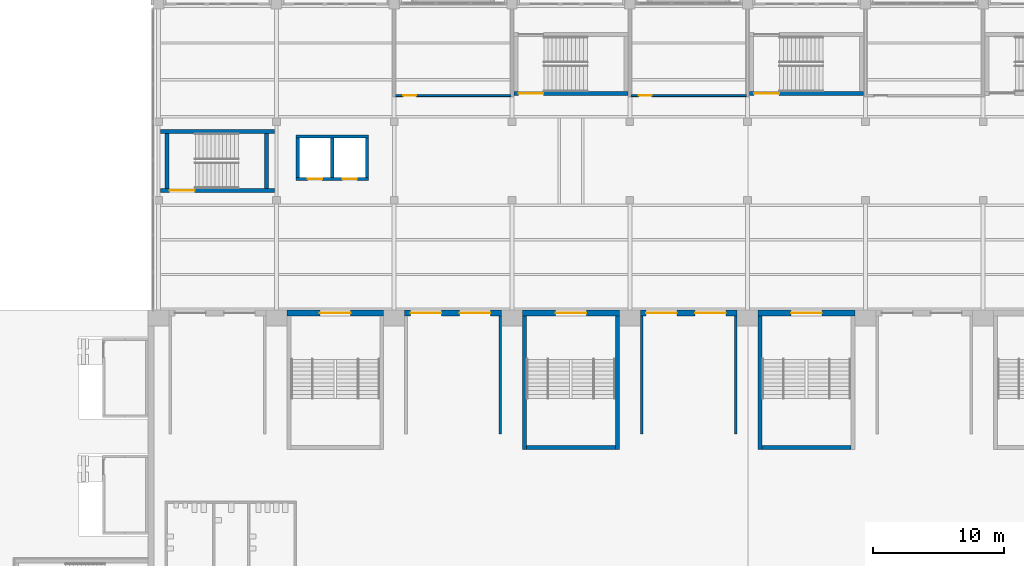
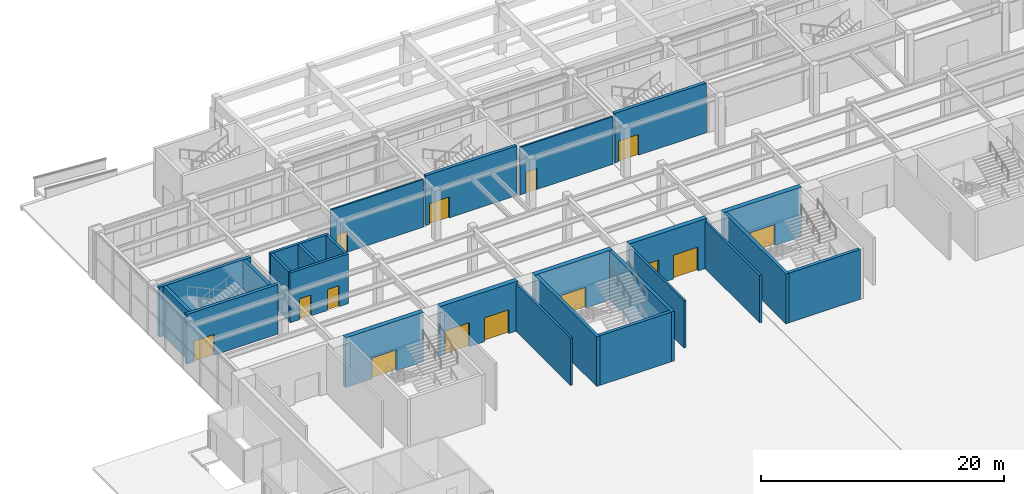
# One storey, part 40 of 77: 26 walls, 14 doors, 14 openings.
"""IFC4 building model written with IfcOpenShell, lengths in metres."""

from ifc_helpers import new_model, si_unit, direction, frame, frame_2d, origin, place, context, subcontext, project, spatial, rectangle, extrude, material, layer, layer_set, type_object, element, fill, save


model = new_model("IFC4")

# Units and contexts
model_context = context("Model", 3, precision=1e-05, world=origin(), true_north=direction((0.0, 1.0)))
body_context = subcontext(model_context, "Body", "Model", "MODEL_VIEW")
ifc_project = project(units=[si_unit("LENGTHUNIT", "METRE"), si_unit("AREAUNIT", "SQUARE_METRE"), si_unit("VOLUMEUNIT", "CUBIC_METRE"), si_unit("PLANEANGLEUNIT", "RADIAN"), si_unit("MASSUNIT", "GRAM", prefix="KILO")], contexts=[model_context])

# Site, building, storey
site_placement = place(None, origin())
site = spatial("IfcSite", under=ifc_project, at=site_placement, CompositionType="ELEMENT")
building_placement = place(site_placement, origin())
building = spatial("IfcBuilding", under=site, at=building_placement, Name="Aravalli Gate Trade Fair Centre", CompositionType="ELEMENT")
storey_placement = place(building_placement, origin())
storey = spatial("IfcBuildingStorey", under=building, at=storey_placement, Name="L00", CompositionType="ELEMENT", Elevation=0.0)

# Wall, opening, door
ifc_material_1 = material(Name="Concrete M40", Category="concrete")
ifc_layer_1 = layer(ifc_material_1, 0.25, Name="Structural wall")
ifc_material_2 = material(Name="Ventilated air cavity")
ifc_layer_2 = layer(ifc_material_2, 0.10009765625, ventilated=True, Name="Ventilated cavity")
ifc_material_3 = material(Name="Dholpur sandstone", Category="masonry")
ifc_layer_3 = layer(ifc_material_3, 0.10009765625, Name="Stone facing")
ifc_layer_set_1 = layer_set([ifc_layer_1, ifc_layer_2, ifc_layer_3], Name="Hall external wall 450 stone base")
wall_type_1 = type_object("IfcWallType", Name="Hall external wall 450 stone base", PredefinedType="SOLIDWALL", material=ifc_layer_set_1)
wall_1_placement = place(storey_placement, frame((15.800048828125, 109.375, 0.0), z_axis=(0.0, 0.0, 1.0), x_axis=(1.0, 0.0, 0.0)))
wall_1 = element("IfcWall", 1, at=wall_1_placement, inside=storey, type_object=wall_type_1, Name="Hall north wall bay 2 L00", PredefinedType="SOLIDWALL", context=body_context, shape_type="SweptSolid", body=[
    extrude(rectangle(XDim=7.39990234375, YDim=0.449951171875, at=frame_2d((3.699951171875, 0.0))), origin(), (0.0, 0.0, 1.0), 5.0),
])
opening_1_placement = place(wall_1_placement, frame((2.52490234375, 0.0, 0.0)))
opening_1 = element("IfcOpeningElement", 2, at=opening_1_placement, cuts=wall_1, Name="Opening H-L00-05", PredefinedType="OPENING", context=body_context, shape_type="SweptSolid", body=[
    extrude(rectangle(XDim=2.35009765625, YDim=2.10009765625, at=frame_2d((1.175048828125, 1.050048828125))), frame((0.0, 0.23486328125, 0.0), z_axis=(0.0, -1.0, 0.0), x_axis=(1.0, 0.0, 0.0)), (0.0, 0.0, 1.0), 0.469970703125),
])
ifc_material_4 = material(Name="Steel", Category="steel")
door_type_1 = type_object("IfcDoorType", Name="Stair exit double door FD120", OperationType="DOUBLE_DOOR_SINGLE_SWING", PredefinedType="DOOR", material=ifc_material_4)
door_1_placement = place(opening_1_placement, origin())
door_1 = element("IfcDoor", 3, at=door_1_placement, inside=storey, type_object=door_type_1, Name="Exit door ST-N02 L00", OperationType="DOUBLE_DOOR_SINGLE_SWING", OverallHeight=2.10009765625, OverallWidth=2.35009765625, PredefinedType="DOOR", context=body_context, shape_type="SweptSolid", body=[
    extrude(rectangle(XDim=2.35009765625, YDim=2.10009765625, at=frame_2d((1.175048828125, 1.050048828125))), frame((0.0, 0.02490234375, 0.0), z_axis=(0.0, -1.0, 0.0), x_axis=(1.0, 0.0, 0.0)), (0.0, 0.0, 1.0), 0.050048828125),
])
fill(opening_1, door_1)

# Wall, openings, doors
wall_2_placement = place(storey_placement, frame((24.800048828125, 109.375, 0.0), z_axis=(0.0, 0.0, 1.0), x_axis=(1.0, 0.0, 0.0)))
wall_2 = element("IfcWall", 4, at=wall_2_placement, inside=storey, type_object=wall_type_1, Name="Hall north wall bay 3 L00", PredefinedType="SOLIDWALL", context=body_context, shape_type="SweptSolid", body=[
    extrude(rectangle(XDim=7.39990234375, YDim=0.449951171875, at=frame_2d((3.699951171875, 0.0))), origin(), (0.0, 0.0, 1.0), 5.0),
])
opening_2_placement = place(wall_2_placement, frame((0.449951171875, 0.0, 0.0)))
opening_2 = element("IfcOpeningElement", 5, at=opening_2_placement, cuts=wall_2, Name="Opening H-L00-06", PredefinedType="OPENING", context=body_context, shape_type="SweptSolid", body=[
    extrude(rectangle(XDim=2.35009765625, YDim=2.39990234375, at=frame_2d((1.175048828125, 1.199951171875))), frame((0.0, 0.23486328125, 0.0), z_axis=(0.0, -1.0, 0.0), x_axis=(1.0, 0.0, 0.0)), (0.0, 0.0, 1.0), 0.469970703125),
])
opening_3_placement = place(wall_2_placement, frame((4.199951171875, 0.0, 0.0)))
opening_3 = element("IfcOpeningElement", 6, at=opening_3_placement, cuts=wall_2, Name="Opening H-L00-07", PredefinedType="OPENING", context=body_context, shape_type="SweptSolid", body=[
    extrude(rectangle(XDim=2.35009765625, YDim=2.39990234375, at=frame_2d((1.175048828125, 1.199951171875))), frame((0.0, 0.23486328125, 0.0), z_axis=(0.0, -1.0, 0.0), x_axis=(1.0, 0.0, 0.0)), (0.0, 0.0, 1.0), 0.469970703125),
])
door_type_2 = type_object("IfcDoorType", Name="Hall entrance double door FD120", OperationType="DOUBLE_DOOR_SINGLE_SWING", PredefinedType="DOOR", material=ifc_material_4)
door_2_placement = place(opening_2_placement, origin())
door_2 = element("IfcDoor", 7, at=door_2_placement, inside=storey, type_object=door_type_2, Name="Hall entrance door bay 3 L00 1", OperationType="DOUBLE_DOOR_SINGLE_SWING", OverallHeight=2.39990234375, OverallWidth=2.35009765625, PredefinedType="DOOR", context=body_context, shape_type="SweptSolid", body=[
    extrude(rectangle(XDim=2.35009765625, YDim=2.39990234375, at=frame_2d((1.175048828125, 1.199951171875))), frame((0.0, 0.02490234375, 0.0), z_axis=(0.0, -1.0, 0.0), x_axis=(1.0, 0.0, 0.0)), (0.0, 0.0, 1.0), 0.050048828125),
])
fill(opening_2, door_2)
door_3_placement = place(opening_3_placement, origin())
door_3 = element("IfcDoor", 8, at=door_3_placement, inside=storey, type_object=door_type_2, Name="Hall entrance door bay 3 L00 2", OperationType="DOUBLE_DOOR_SINGLE_SWING", OverallHeight=2.39990234375, OverallWidth=2.35009765625, PredefinedType="DOOR", context=body_context, shape_type="SweptSolid", body=[
    extrude(rectangle(XDim=2.35009765625, YDim=2.39990234375, at=frame_2d((1.175048828125, 1.199951171875))), frame((0.0, 0.02490234375, 0.0), z_axis=(0.0, -1.0, 0.0), x_axis=(1.0, 0.0, 0.0)), (0.0, 0.0, 1.0), 0.050048828125),
])
fill(opening_3, door_3)

# Wall, opening, door
wall_3_placement = place(storey_placement, frame((33.800048828125, 109.375, 0.0), z_axis=(0.0, 0.0, 1.0), x_axis=(1.0, 0.0, 0.0)))
wall_3 = element("IfcWall", 9, at=wall_3_placement, inside=storey, type_object=wall_type_1, Name="Hall north wall bay 4 L00", PredefinedType="SOLIDWALL", context=body_context, shape_type="SweptSolid", body=[
    extrude(rectangle(XDim=7.39990234375, YDim=0.449951171875, at=frame_2d((3.699951171875, 0.0))), origin(), (0.0, 0.0, 1.0), 5.0),
])
opening_4_placement = place(wall_3_placement, frame((2.52490234375, 0.0, 0.0)))
opening_4 = element("IfcOpeningElement", 10, at=opening_4_placement, cuts=wall_3, Name="Opening H-L00-09", PredefinedType="OPENING", context=body_context, shape_type="SweptSolid", body=[
    extrude(rectangle(XDim=2.35009765625, YDim=2.10009765625, at=frame_2d((1.175048828125, 1.050048828125))), frame((0.0, 0.23486328125, 0.0), z_axis=(0.0, -1.0, 0.0), x_axis=(1.0, 0.0, 0.0)), (0.0, 0.0, 1.0), 0.469970703125),
])
door_4_placement = place(opening_4_placement, origin())
door_4 = element("IfcDoor", 11, at=door_4_placement, inside=storey, type_object=door_type_1, Name="Exit door ST-N04 L00", OperationType="DOUBLE_DOOR_SINGLE_SWING", OverallHeight=2.10009765625, OverallWidth=2.35009765625, PredefinedType="DOOR", context=body_context, shape_type="SweptSolid", body=[
    extrude(rectangle(XDim=2.35009765625, YDim=2.10009765625, at=frame_2d((1.175048828125, 1.050048828125))), frame((0.0, 0.02490234375, 0.0), z_axis=(0.0, -1.0, 0.0), x_axis=(1.0, 0.0, 0.0)), (0.0, 0.0, 1.0), 0.050048828125),
])
fill(opening_4, door_4)

# Wall, openings, doors
wall_4_placement = place(storey_placement, frame((42.800048828125, 109.375, 0.0), z_axis=(0.0, 0.0, 1.0), x_axis=(1.0, 0.0, 0.0)))
wall_4 = element("IfcWall", 12, at=wall_4_placement, inside=storey, type_object=wall_type_1, Name="Hall north wall bay 5 L00", PredefinedType="SOLIDWALL", context=body_context, shape_type="SweptSolid", body=[
    extrude(rectangle(XDim=7.39990234375, YDim=0.449951171875, at=frame_2d((3.699951171875, 0.0))), origin(), (0.0, 0.0, 1.0), 5.0),
])
opening_5_placement = place(wall_4_placement, frame((0.449951171875, 0.0, 0.0)))
opening_5 = element("IfcOpeningElement", 13, at=opening_5_placement, cuts=wall_4, Name="Opening H-L00-10", PredefinedType="OPENING", context=body_context, shape_type="SweptSolid", body=[
    extrude(rectangle(XDim=2.35009765625, YDim=2.39990234375, at=frame_2d((1.175048828125, 1.199951171875))), frame((0.0, 0.23486328125, 0.0), z_axis=(0.0, -1.0, 0.0), x_axis=(1.0, 0.0, 0.0)), (0.0, 0.0, 1.0), 0.469970703125),
])
opening_6_placement = place(wall_4_placement, frame((4.199951171875, 0.0, 0.0)))
opening_6 = element("IfcOpeningElement", 14, at=opening_6_placement, cuts=wall_4, Name="Opening H-L00-11", PredefinedType="OPENING", context=body_context, shape_type="SweptSolid", body=[
    extrude(rectangle(XDim=2.35009765625, YDim=2.39990234375, at=frame_2d((1.175048828125, 1.199951171875))), frame((0.0, 0.23486328125, 0.0), z_axis=(0.0, -1.0, 0.0), x_axis=(1.0, 0.0, 0.0)), (0.0, 0.0, 1.0), 0.469970703125),
])
door_5_placement = place(opening_5_placement, origin())
door_5 = element("IfcDoor", 15, at=door_5_placement, inside=storey, type_object=door_type_2, Name="Hall entrance door bay 5 L00 1", OperationType="DOUBLE_DOOR_SINGLE_SWING", OverallHeight=2.39990234375, OverallWidth=2.35009765625, PredefinedType="DOOR", context=body_context, shape_type="SweptSolid", body=[
    extrude(rectangle(XDim=2.35009765625, YDim=2.39990234375, at=frame_2d((1.175048828125, 1.199951171875))), frame((0.0, 0.02490234375, 0.0), z_axis=(0.0, -1.0, 0.0), x_axis=(1.0, 0.0, 0.0)), (0.0, 0.0, 1.0), 0.050048828125),
])
fill(opening_5, door_5)
door_6_placement = place(opening_6_placement, origin())
door_6 = element("IfcDoor", 16, at=door_6_placement, inside=storey, type_object=door_type_2, Name="Hall entrance door bay 5 L00 2", OperationType="DOUBLE_DOOR_SINGLE_SWING", OverallHeight=2.39990234375, OverallWidth=2.35009765625, PredefinedType="DOOR", context=body_context, shape_type="SweptSolid", body=[
    extrude(rectangle(XDim=2.35009765625, YDim=2.39990234375, at=frame_2d((1.175048828125, 1.199951171875))), frame((0.0, 0.02490234375, 0.0), z_axis=(0.0, -1.0, 0.0), x_axis=(1.0, 0.0, 0.0)), (0.0, 0.0, 1.0), 0.050048828125),
])
fill(opening_6, door_6)

# Wall, opening, door
wall_5_placement = place(storey_placement, frame((51.800048828125, 109.375, 0.0), z_axis=(0.0, 0.0, 1.0), x_axis=(1.0, 0.0, 0.0)))
wall_5 = element("IfcWall", 17, at=wall_5_placement, inside=storey, type_object=wall_type_1, Name="Hall north wall bay 6 L00", PredefinedType="SOLIDWALL", context=body_context, shape_type="SweptSolid", body=[
    extrude(rectangle(XDim=7.39990234375, YDim=0.449951171875, at=frame_2d((3.699951171875, 0.0))), origin(), (0.0, 0.0, 1.0), 5.0),
])
opening_7_placement = place(wall_5_placement, frame((2.52490234375, 0.0, 0.0)))
opening_7 = element("IfcOpeningElement", 18, at=opening_7_placement, cuts=wall_5, Name="Opening H-L00-13", PredefinedType="OPENING", context=body_context, shape_type="SweptSolid", body=[
    extrude(rectangle(XDim=2.35009765625, YDim=2.10009765625, at=frame_2d((1.175048828125, 1.050048828125))), frame((0.0, 0.23486328125, 0.0), z_axis=(0.0, -1.0, 0.0), x_axis=(1.0, 0.0, 0.0)), (0.0, 0.0, 1.0), 0.469970703125),
])
door_7_placement = place(opening_7_placement, origin())
door_7 = element("IfcDoor", 19, at=door_7_placement, inside=storey, type_object=door_type_1, Name="Exit door ST-N06 L00", OperationType="DOUBLE_DOOR_SINGLE_SWING", OverallHeight=2.10009765625, OverallWidth=2.35009765625, PredefinedType="DOOR", context=body_context, shape_type="SweptSolid", body=[
    extrude(rectangle(XDim=2.35009765625, YDim=2.10009765625, at=frame_2d((1.175048828125, 1.050048828125))), frame((0.0, 0.02490234375, 0.0), z_axis=(0.0, -1.0, 0.0), x_axis=(1.0, 0.0, 0.0)), (0.0, 0.0, 1.0), 0.050048828125),
])
fill(opening_7, door_7)

# Walls
ifc_layer_4 = layer(ifc_material_1, 0.199951171875)
ifc_layer_set_2 = layer_set([ifc_layer_4], Name="Concrete M40")
wall_type_2 = type_object("IfcWallType", Name="Meeting room side wall RC 200", PredefinedType="SHEAR", material=ifc_layer_set_2)
for number, where, z_axis, x_axis, name in (
    (20, (32.10009765625, 100.14990234375, 0.0), (0.0, 0.0, 1.0), (0.0, 1.0, 0.0), "Meeting room 2 side wall E L00"),
    (21, (42.89990234375, 100.14990234375, 0.0), (0.0, 0.0, 1.0), (0.0, 1.0, 0.0), "Meeting room 3 side wall W L00"),
    (22, (50.10009765625, 100.14990234375, 0.0), (0.0, 0.0, 1.0), (0.0, 1.0, 0.0), "Meeting room 3 side wall E L00"),
):
    element("IfcWall", number, at=place(storey_placement, frame(where, z_axis=z_axis, x_axis=x_axis)), inside=storey, type_object=wall_type_2, Name=name, PredefinedType="SHEAR", context=body_context, shape_type="SweptSolid", body=[
        extrude(rectangle(XDim=9.0, YDim=0.199951171875, at=frame_2d((4.5, 0.0))), origin(), (0.0, 0.0, 1.0), 4.75),
    ])

# Wall, opening, door
ifc_material_5 = material(Name="Gypsum board")
ifc_layer_5 = layer(ifc_material_5, 0.02490234375, Name="Gypsum board lining")
ifc_material_6 = material(Name="Galvanised stud framing")
ifc_layer_6 = layer(ifc_material_6, 0.10009765625, Name="Stud framing")
ifc_layer_7 = layer(ifc_material_5, 0.02490234375, Name="Gypsum board lining")
ifc_layer_set_3 = layer_set([ifc_layer_5, ifc_layer_6, ifc_layer_7], Name="Partition wall 150")
wall_type_3 = type_object("IfcWallType", Name="Partition wall 150", PredefinedType="PARTITIONING", material=ifc_layer_set_3)
wall_6_placement = place(storey_placement, frame((24.074951171875, 126.0, 0.0), z_axis=(0.0, 0.0, 1.0), x_axis=(1.0, 0.0, 0.0)))
wall_6 = element("IfcWall", 23, at=wall_6_placement, inside=storey, type_object=wall_type_3, Name="Partition Cloakroom south L00", PredefinedType="PARTITIONING", context=body_context, shape_type="SweptSolid", body=[
    extrude(rectangle(XDim=8.85009765625, YDim=0.14990234375, at=frame_2d((4.425048828125, 0.0))), origin(), (0.0, 0.0, 1.0), 4.800048828125),
])
opening_8_placement = place(wall_6_placement, frame((0.60009765625, 0.0, 0.0)))
opening_8 = element("IfcOpeningElement", 24, at=opening_8_placement, cuts=wall_6, Name="Opening C-L00-35", PredefinedType="OPENING", context=body_context, shape_type="SweptSolid", body=[
    extrude(rectangle(XDim=1.0, YDim=2.10009765625, at=frame_2d((0.5, 1.050048828125))), frame((0.0, 0.0849609375, 0.0), z_axis=(0.0, -1.0, 0.0), x_axis=(1.0, 0.0, 0.0)), (0.0, 0.0, 1.0), 0.169921875),
])
ifc_material_7 = material(Name="Steel, fire rated", Category="steel")
door_type_3 = type_object("IfcDoorType", Name="Room door 1000 x 2100", OperationType="SINGLE_SWING_RIGHT", PredefinedType="NOTDEFINED", material=ifc_material_7)
door_8_placement = place(opening_8_placement, frame((1.0, 0.0, 0.0), z_axis=(0.0, 0.0, 1.0), x_axis=(-1.0, 0.0, 0.0)))
door_8 = element("IfcDoor", 25, at=door_8_placement, inside=storey, type_object=door_type_3, Name="Door Cloakroom L00", OperationType="SINGLE_SWING_RIGHT", OverallHeight=2.10009765625, OverallWidth=1.0, PredefinedType="NOTDEFINED", context=body_context, shape_type="SweptSolid", body=[
    extrude(rectangle(XDim=1.0, YDim=2.10009765625, at=frame_2d((0.5, 1.050048828125))), frame((0.0, 0.02490234375, 0.0), z_axis=(0.0, -1.0, 0.0), x_axis=(1.0, 0.0, 0.0)), (0.0, 0.0, 1.0), 0.050048828125),
])
fill(opening_8, door_8)

wall_7_placement = place(storey_placement, frame((42.074951171875, 126.0, 0.0), z_axis=(0.0, 0.0, 1.0), x_axis=(1.0, 0.0, 0.0)))
wall_7 = element("IfcWall", 26, at=wall_7_placement, inside=storey, type_object=wall_type_3, Name="Partition Gents WC south L00", PredefinedType="PARTITIONING", context=body_context, shape_type="SweptSolid", body=[
    extrude(rectangle(XDim=8.85009765625, YDim=0.14990234375, at=frame_2d((4.425048828125, 0.0))), origin(), (0.0, 0.0, 1.0), 4.800048828125),
])
opening_9_placement = place(wall_7_placement, frame((0.60009765625, 0.0, 0.0)))
opening_9 = element("IfcOpeningElement", 27, at=opening_9_placement, cuts=wall_7, Name="Opening C-L00-36", PredefinedType="OPENING", context=body_context, shape_type="SweptSolid", body=[
    extrude(rectangle(XDim=1.0, YDim=2.10009765625, at=frame_2d((0.5, 1.050048828125))), frame((0.0, 0.0849609375, 0.0), z_axis=(0.0, -1.0, 0.0), x_axis=(1.0, 0.0, 0.0)), (0.0, 0.0, 1.0), 0.169921875),
])
door_9_placement = place(opening_9_placement, frame((1.0, 0.0, 0.0), z_axis=(0.0, 0.0, 1.0), x_axis=(-1.0, 0.0, 0.0)))
door_9 = element("IfcDoor", 28, at=door_9_placement, inside=storey, type_object=door_type_3, Name="Door Gents WC L00", OperationType="SINGLE_SWING_LEFT", OverallHeight=2.10009765625, OverallWidth=1.0, PredefinedType="NOTDEFINED", context=body_context, shape_type="SweptSolid", body=[
    extrude(rectangle(XDim=1.0, YDim=2.10009765625, at=frame_2d((0.5, 1.050048828125))), frame((0.0, 0.02490234375, 0.0), z_axis=(0.0, -1.0, 0.0), x_axis=(1.0, 0.0, 0.0)), (0.0, 0.0, 1.0), 0.050048828125),
])
fill(opening_9, door_9)

# Wall, openings, doors
ifc_layer_8 = layer(ifc_material_1, 0.25)
ifc_layer_set_4 = layer_set([ifc_layer_8], Name="Concrete M40")
wall_type_4 = type_object("IfcWallType", Name="RC core wall 250", PredefinedType="SHEAR", material=ifc_layer_set_4)
wall_8_placement = place(storey_placement, frame((16.5, 119.625, 0.0), z_axis=(0.0, 0.0, 1.0), x_axis=(1.0, 0.0, 0.0)))
wall_8 = element("IfcWall", 29, at=wall_8_placement, inside=storey, type_object=wall_type_4, Name="Core wall WLS L00", PredefinedType="SHEAR", context=body_context, shape_type="SweptSolid", body=[
    extrude(rectangle(XDim=5.550048828125, YDim=0.25, at=frame_2d((2.77490234375, 0.0))), origin(), (0.0, 0.0, 1.0), 5.0),
])
opening_10_placement = place(wall_8_placement, frame((0.89990234375, 0.0, 0.0)))
opening_10 = element("IfcOpeningElement", 30, at=opening_10_placement, cuts=wall_8, Name="Opening C-L00-25", PredefinedType="OPENING", context=body_context, shape_type="SweptSolid", body=[
    extrude(rectangle(XDim=1.10009765625, YDim=2.10009765625, at=frame_2d((0.550048828125, 1.050048828125))), frame((0.0, 0.135009765625, 0.0), z_axis=(0.0, -1.0, 0.0), x_axis=(1.0, 0.0, 0.0)), (0.0, 0.0, 1.0), 0.27001953125),
])
opening_11_placement = place(wall_8_placement, frame((3.550048828125, 0.0, 0.0)))
opening_11 = element("IfcOpeningElement", 31, at=opening_11_placement, cuts=wall_8, Name="Opening C-L00-26", PredefinedType="OPENING", context=body_context, shape_type="SweptSolid", body=[
    extrude(rectangle(XDim=1.10009765625, YDim=2.10009765625, at=frame_2d((0.550048828125, 1.050048828125))), frame((0.0, 0.135009765625, 0.0), z_axis=(0.0, -1.0, 0.0), x_axis=(1.0, 0.0, 0.0)), (0.0, 0.0, 1.0), 0.27001953125),
])
door_type_4 = type_object("IfcDoorType", Name="Concourse lift landing door 1100 x 2100", OperationType="DOUBLE_DOOR_SLIDING", PredefinedType="NOTDEFINED", material=ifc_material_7)
door_10_placement = place(opening_10_placement, origin())
door_10 = element("IfcDoor", 32, at=door_10_placement, inside=storey, type_object=door_type_4, Name="Lift landing door WL1 L00", OperationType="DOUBLE_DOOR_SLIDING", OverallHeight=2.10009765625, OverallWidth=1.10009765625, PredefinedType="NOTDEFINED", context=body_context, shape_type="SweptSolid", body=[
    extrude(rectangle(XDim=1.10009765625, YDim=2.10009765625, at=frame_2d((0.550048828125, 1.050048828125))), frame((0.0, 0.02490234375, 0.0), z_axis=(0.0, -1.0, 0.0), x_axis=(1.0, 0.0, 0.0)), (0.0, 0.0, 1.0), 0.050048828125),
])
fill(opening_10, door_10)
door_11_placement = place(opening_11_placement, origin())
door_11 = element("IfcDoor", 33, at=door_11_placement, inside=storey, type_object=door_type_4, Name="Lift landing door WL2 L00", OperationType="DOUBLE_DOOR_SLIDING", OverallHeight=2.10009765625, OverallWidth=1.10009765625, PredefinedType="NOTDEFINED", context=body_context, shape_type="SweptSolid", body=[
    extrude(rectangle(XDim=1.10009765625, YDim=2.10009765625, at=frame_2d((0.550048828125, 1.050048828125))), frame((0.0, 0.02490234375, 0.0), z_axis=(0.0, -1.0, 0.0), x_axis=(1.0, 0.0, 0.0)), (0.0, 0.0, 1.0), 0.050048828125),
])
fill(opening_11, door_11)

# Walls
wall_9_placement = place(storey_placement, frame((16.5, 122.875, 0.0), z_axis=(0.0, 0.0, 1.0), x_axis=(1.0, 0.0, 0.0)))
element("IfcWall", 34, at=wall_9_placement, inside=storey, type_object=wall_type_4, Name="Core wall WLN L00", PredefinedType="SHEAR", context=body_context, shape_type="SweptSolid", body=[
    extrude(rectangle(XDim=5.550048828125, YDim=0.25, at=frame_2d((2.77490234375, 0.0))), origin(), (0.0, 0.0, 1.0), 5.0),
])
for number, where, z_axis, x_axis, name in (
    (35, (16.625, 119.75, 0.0), (0.0, 0.0, 1.0), (0.0, 1.0, 0.0), "Core wall WLW L00"),
    (36, (21.925048828125, 119.75, 0.0), (0.0, 0.0, 1.0), (0.0, 1.0, 0.0), "Core wall WLE L00"),
    (37, (19.27490234375, 119.75, 0.0), (0.0, 0.0, 1.0), (0.0, 1.0, 0.0), "Core wall WLM L00"),
):
    element("IfcWall", number, at=place(storey_placement, frame(where, z_axis=z_axis, x_axis=x_axis)), inside=storey, type_object=wall_type_4, Name=name, PredefinedType="SHEAR", context=body_context, shape_type="SweptSolid", body=[
        extrude(rectangle(XDim=3.0, YDim=0.25, at=frame_2d((1.5, 0.0))), origin(), (0.0, 0.0, 1.0), 5.0),
    ])

# Wall, opening, door
ifc_layer_9 = layer(ifc_material_1, 0.300048828125)
ifc_layer_set_5 = layer_set([ifc_layer_9], Name="Concrete M40")
wall_type_5 = type_object("IfcWallType", Name="RC core wall 300", PredefinedType="SHEAR", material=ifc_layer_set_5)
wall_10_placement = place(storey_placement, frame((6.14990234375, 118.75, 0.0), z_axis=(0.0, 0.0, 1.0), x_axis=(1.0, 0.0, 0.0)))
wall_10 = element("IfcWall", 38, at=wall_10_placement, inside=storey, type_object=wall_type_5, Name="Core wall WSS L00", PredefinedType="SHEAR", context=body_context, shape_type="SweptSolid", body=[
    extrude(rectangle(XDim=8.7001953125, YDim=0.300048828125, at=frame_2d((4.35009765625, 0.0))), origin(), (0.0, 0.0, 1.0), 5.0),
])
opening_12_placement = place(wall_10_placement, frame((0.699951171875, 0.0, 0.0)))
opening_12 = element("IfcOpeningElement", 39, at=opening_12_placement, cuts=wall_10, Name="Opening C-L00-24", PredefinedType="OPENING", context=body_context, shape_type="SweptSolid", body=[
    extrude(rectangle(XDim=1.89990234375, YDim=2.10009765625, at=frame_2d((0.949951171875, 1.050048828125))), frame((0.0, 0.159912109375, 0.0), z_axis=(0.0, -1.0, 0.0), x_axis=(1.0, 0.0, 0.0)), (0.0, 0.0, 1.0), 0.320068359375),
])
door_type_5 = type_object("IfcDoorType", Name="Concourse stair door 1900 x 2100", OperationType="DOUBLE_DOOR_SINGLE_SWING", PredefinedType="NOTDEFINED", material=ifc_material_7)
door_12_placement = place(opening_12_placement, frame((1.89990234375, 0.0, 0.0), z_axis=(0.0, 0.0, 1.0), x_axis=(-1.0, 0.0, 0.0)))
door_12 = element("IfcDoor", 40, at=door_12_placement, inside=storey, type_object=door_type_5, Name="Stair door WS L00", OperationType="DOUBLE_DOOR_SINGLE_SWING", OverallHeight=2.10009765625, OverallWidth=1.89990234375, PredefinedType="NOTDEFINED", context=body_context, shape_type="SweptSolid", body=[
    extrude(rectangle(XDim=1.89990234375, YDim=2.10009765625, at=frame_2d((0.949951171875, 1.050048828125))), frame((0.0, 0.02490234375, 0.0), z_axis=(0.0, -1.0, 0.0), x_axis=(1.0, 0.0, 0.0)), (0.0, 0.0, 1.0), 0.050048828125),
])
fill(opening_12, door_12)

# Walls
wall_11_placement = place(storey_placement, frame((6.14990234375, 123.25, 0.0), z_axis=(0.0, 0.0, 1.0), x_axis=(1.0, 0.0, 0.0)))
element("IfcWall", 41, at=wall_11_placement, inside=storey, type_object=wall_type_5, Name="Core wall WSN L00", PredefinedType="SHEAR", context=body_context, shape_type="SweptSolid", body=[
    extrude(rectangle(XDim=8.7001953125, YDim=0.300048828125, at=frame_2d((4.35009765625, 0.0))), origin(), (0.0, 0.0, 1.0), 5.0),
])
for number, where, z_axis, x_axis, name in (
    (42, (6.64990234375, 118.89990234375, 0.0), (0.0, 0.0, 1.0), (0.0, 1.0, 0.0), "Core wall WSW L00"),
    (43, (14.25, 118.89990234375, 0.0), (0.0, 0.0, 1.0), (0.0, 1.0, 0.0), "Core wall WSE L00"),
):
    element("IfcWall", number, at=place(storey_placement, frame(where, z_axis=z_axis, x_axis=x_axis)), inside=storey, type_object=wall_type_5, Name=name, PredefinedType="SHEAR", context=body_context, shape_type="SweptSolid", body=[
        extrude(rectangle(XDim=4.2001953125, YDim=0.300048828125, at=frame_2d((2.10009765625, 0.0))), origin(), (0.0, 0.0, 1.0), 5.0),
    ])

# Wall, opening, door
wall_12_placement = place(storey_placement, frame((33.14990234375, 126.14990234375, 0.0), z_axis=(0.0, 0.0, 1.0), x_axis=(1.0, 0.0, 0.0)))
wall_12 = element("IfcWall", 44, at=wall_12_placement, inside=storey, type_object=wall_type_5, Name="Core wall XAS L00", PredefinedType="SHEAR", context=body_context, shape_type="SweptSolid", body=[
    extrude(rectangle(XDim=8.7001953125, YDim=0.300048828125, at=frame_2d((4.35009765625, 0.0))), origin(), (0.0, 0.0, 1.0), 5.0),
])
opening_13_placement = place(wall_12_placement, frame((0.35009765625, 0.0, 0.0)))
opening_13 = element("IfcOpeningElement", 45, at=opening_13_placement, cuts=wall_12, Name="Opening C-L00-30", PredefinedType="OPENING", context=body_context, shape_type="SweptSolid", body=[
    extrude(rectangle(XDim=1.89990234375, YDim=2.10009765625, at=frame_2d((0.949951171875, 1.050048828125))), frame((0.0, 0.159912109375, 0.0), z_axis=(0.0, -1.0, 0.0), x_axis=(1.0, 0.0, 0.0)), (0.0, 0.0, 1.0), 0.320068359375),
])
door_13_placement = place(opening_13_placement, origin())
door_13 = element("IfcDoor", 46, at=door_13_placement, inside=storey, type_object=door_type_5, Name="Stair door XA L00", OperationType="DOUBLE_DOOR_SINGLE_SWING", OverallHeight=2.10009765625, OverallWidth=1.89990234375, PredefinedType="NOTDEFINED", context=body_context, shape_type="SweptSolid", body=[
    extrude(rectangle(XDim=1.89990234375, YDim=2.10009765625, at=frame_2d((0.949951171875, 1.050048828125))), frame((0.0, 0.02490234375, 0.0), z_axis=(0.0, -1.0, 0.0), x_axis=(1.0, 0.0, 0.0)), (0.0, 0.0, 1.0), 0.050048828125),
])
fill(opening_13, door_13)

wall_13_placement = place(storey_placement, frame((51.14990234375, 126.14990234375, 0.0), z_axis=(0.0, 0.0, 1.0), x_axis=(1.0, 0.0, 0.0)))
wall_13 = element("IfcWall", 47, at=wall_13_placement, inside=storey, type_object=wall_type_5, Name="Core wall XBS L00", PredefinedType="SHEAR", context=body_context, shape_type="SweptSolid", body=[
    extrude(rectangle(XDim=8.7001953125, YDim=0.300048828125, at=frame_2d((4.35009765625, 0.0))), origin(), (0.0, 0.0, 1.0), 5.0),
])
opening_14_placement = place(wall_13_placement, frame((0.35009765625, 0.0, 0.0)))
opening_14 = element("IfcOpeningElement", 48, at=opening_14_placement, cuts=wall_13, Name="Opening C-L00-31", PredefinedType="OPENING", context=body_context, shape_type="SweptSolid", body=[
    extrude(rectangle(XDim=1.89990234375, YDim=2.10009765625, at=frame_2d((0.949951171875, 1.050048828125))), frame((0.0, 0.159912109375, 0.0), z_axis=(0.0, -1.0, 0.0), x_axis=(1.0, 0.0, 0.0)), (0.0, 0.0, 1.0), 0.320068359375),
])
door_14_placement = place(opening_14_placement, origin())
door_14 = element("IfcDoor", 49, at=door_14_placement, inside=storey, type_object=door_type_5, Name="Stair door XB L00", OperationType="DOUBLE_DOOR_SINGLE_SWING", OverallHeight=2.10009765625, OverallWidth=1.89990234375, PredefinedType="NOTDEFINED", context=body_context, shape_type="SweptSolid", body=[
    extrude(rectangle(XDim=1.89990234375, YDim=2.10009765625, at=frame_2d((0.949951171875, 1.050048828125))), frame((0.0, 0.02490234375, 0.0), z_axis=(0.0, -1.0, 0.0), x_axis=(1.0, 0.0, 0.0)), (0.0, 0.0, 1.0), 0.050048828125),
])
fill(opening_14, door_14)

# Walls
ifc_layer_10 = layer(ifc_material_1, 0.300048828125)
ifc_layer_set_6 = layer_set([ifc_layer_10], Name="Concrete M40")
wall_type_6 = type_object("IfcWallType", Name="Stair tower wall RC 300", PredefinedType="SHEAR", material=ifc_layer_set_6)
for number, where, z_axis, x_axis, name in (
    (50, (33.949951171875, 109.14990234375, 0.0), (0.0, 0.0, 1.0), (0.0, -1.0, 0.0), "Stair tower N04 wall W L00"),
    (51, (41.050048828125, 109.14990234375, 0.0), (0.0, 0.0, 1.0), (0.0, -1.0, 0.0), "Stair tower N04 wall E L00"),
):
    element("IfcWall", number, at=place(storey_placement, frame(where, z_axis=z_axis, x_axis=x_axis)), inside=storey, type_object=wall_type_6, Name=name, PredefinedType="SHEAR", context=body_context, shape_type="SweptSolid", body=[
        extrude(rectangle(XDim=10.199951171875, YDim=0.300048828125, at=frame_2d((5.10009765625, 0.0))), origin(), (0.0, 0.0, 1.0), 5.0),
    ])
wall_14_placement = place(storey_placement, frame((34.10009765625, 99.10009765625, 0.0), z_axis=(0.0, 0.0, 1.0), x_axis=(1.0, 0.0, 0.0)))
element("IfcWall", 52, at=wall_14_placement, inside=storey, type_object=wall_type_6, Name="Stair tower N04 wall F L00", PredefinedType="SHEAR", context=body_context, shape_type="SweptSolid", body=[
    extrude(rectangle(XDim=6.7998046875, YDim=0.300048828125, at=frame_2d((3.39990234375, 0.0))), origin(), (0.0, 0.0, 1.0), 5.0),
])
wall_15_placement = place(storey_placement, frame((51.949951171875, 109.14990234375, 0.0), z_axis=(0.0, 0.0, 1.0), x_axis=(0.0, -1.0, 0.0)))
element("IfcWall", 53, at=wall_15_placement, inside=storey, type_object=wall_type_6, Name="Stair tower N06 wall W L00", PredefinedType="SHEAR", context=body_context, shape_type="SweptSolid", body=[
    extrude(rectangle(XDim=10.199951171875, YDim=0.300048828125, at=frame_2d((5.10009765625, 0.0))), origin(), (0.0, 0.0, 1.0), 5.0),
])
wall_16_placement = place(storey_placement, frame((52.10009765625, 99.10009765625, 0.0), z_axis=(0.0, 0.0, 1.0), x_axis=(1.0, 0.0, 0.0)))
element("IfcWall", 54, at=wall_16_placement, inside=storey, type_object=wall_type_6, Name="Stair tower N06 wall F L00", PredefinedType="SHEAR", context=body_context, shape_type="SweptSolid", body=[
    extrude(rectangle(XDim=6.7998046875, YDim=0.300048828125, at=frame_2d((3.39990234375, 0.0))), origin(), (0.0, 0.0, 1.0), 5.0),
])

save(model, "model.ifc")
